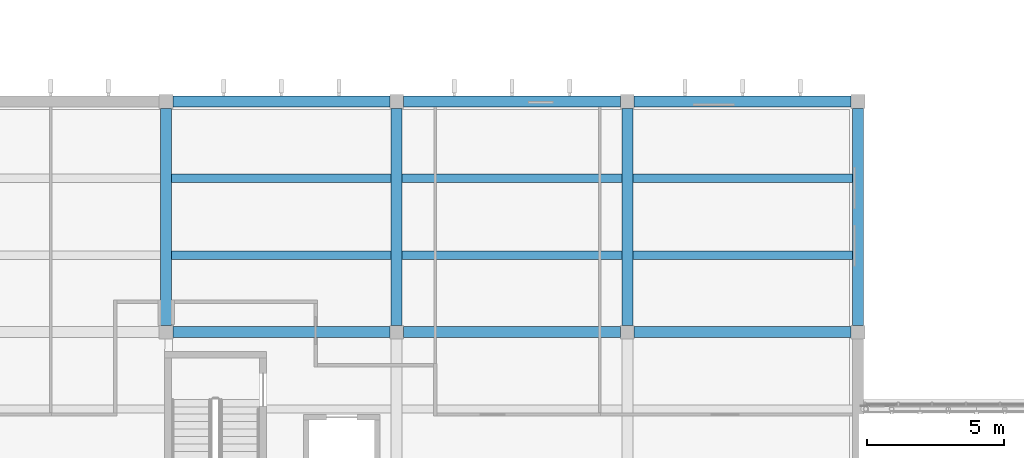
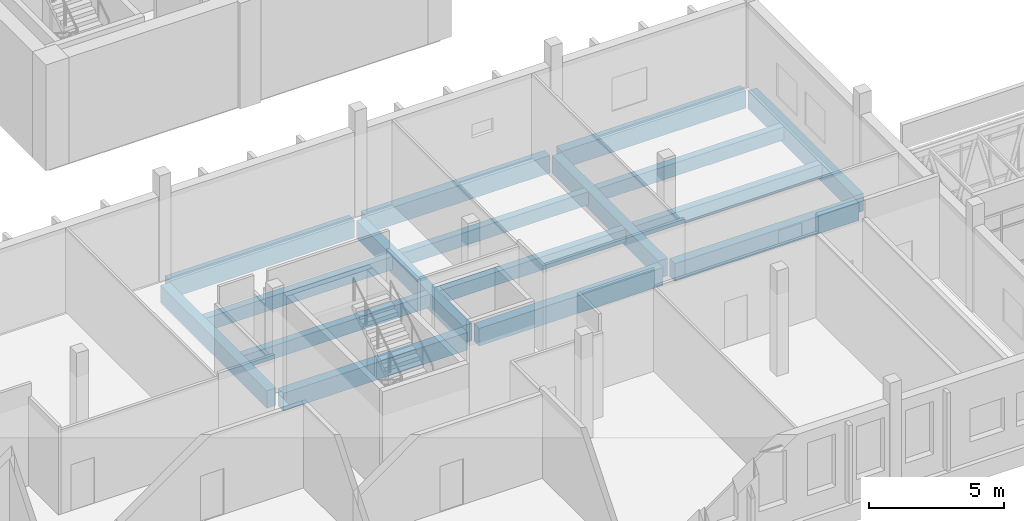
# One storey, part 4 of 119: 16 beams.
"""IFC4 building model written with IfcOpenShell, lengths in metres."""

from ifc_helpers import new_model, si_unit, direction, frame, origin, origin_2d, place, context, subcontext, project, spatial, rectangle, extrude, material, material_profile, profile_set, type_object, element, save


model = new_model("IFC4")

# Units and contexts
model_context = context("Model", 3, precision=1e-05, world=origin(), true_north=direction((0.0, 1.0)))
body_context = subcontext(model_context, "Body", "Model", "MODEL_VIEW")
ifc_project = project(units=[si_unit("LENGTHUNIT", "METRE"), si_unit("AREAUNIT", "SQUARE_METRE"), si_unit("VOLUMEUNIT", "CUBIC_METRE"), si_unit("PLANEANGLEUNIT", "RADIAN"), si_unit("MASSUNIT", "GRAM", prefix="KILO")], contexts=[model_context])

# Site, building, storey
site_placement = place(None, origin())
site = spatial("IfcSite", under=ifc_project, at=site_placement, CompositionType="ELEMENT")
building_placement = place(site_placement, origin())
building = spatial("IfcBuilding", under=site, at=building_placement, Name="Larchfold Concert Hall", CompositionType="ELEMENT")
storey_placement = place(building_placement, frame((0.0, 0.0, 4.800048828125)))
storey = spatial("IfcBuildingStorey", under=building, at=storey_placement, Name="L01", CompositionType="ELEMENT", Elevation=4.800048828125)

# Beams
ifc_material_1 = material(Name="Concrete C35/45", Category="concrete")
ifc_material_profile_1 = material_profile(ifc_material_1, rectangle(XDim=0.300048828125, YDim=0.60009765625, at=origin_2d()))
ifc_profile_set_1 = profile_set([ifc_material_profile_1], Name="Concrete C35/45")
beam_type_1 = type_object("IfcBeamType", Name="Beam RC 300x600", PredefinedType="BEAM", material=ifc_profile_set_1)
for number, where, z_axis, x_axis, name in (
    (1, (34.39990234375, 20.199951171875, -0.4599609375), (1.0, 0.0, 0.0), (0.0, 1.0, 0.0), "Beam B0183"),
    (2, (42.800048828125, 20.199951171875, -0.4599609375), (1.0, 0.0, 0.0), (0.0, 1.0, 0.0), "Beam B0184"),
    (3, (51.199951171875, 20.199951171875, -0.4599609375), (1.0, 0.0, 0.0), (0.0, 1.0, 0.0), "Beam B0185"),
    (4, (34.39990234375, 23.0, -0.4599609375), (1.0, 0.0, 0.0), (0.0, 1.0, 0.0), "Beam B0190"),
    (5, (42.800048828125, 23.0, -0.4599609375), (1.0, 0.0, 0.0), (0.0, 1.0, 0.0), "Beam B0191"),
    (6, (51.199951171875, 23.0, -0.4599609375), (1.0, 0.0, 0.0), (0.0, 1.0, 0.0), "Beam B0192"),
):
    element("IfcBeam", number, at=place(storey_placement, frame(where, z_axis=z_axis, x_axis=x_axis)), inside=storey, type_object=beam_type_1, Name=name, PredefinedType="BEAM", context=body_context, shape_type="SweptSolid", body=[
        extrude(rectangle(XDim=0.300048828125, YDim=0.60009765625, at=origin_2d()), origin(), (0.0, 0.0, 1.0), 8.0),
    ])
ifc_material_2 = material(Name="Concrete C35/45", Category="concrete")
ifc_material_profile_2 = material_profile(ifc_material_2, rectangle(XDim=0.39990234375, YDim=0.800048828125, at=origin_2d()))
ifc_profile_set_2 = profile_set([ifc_material_profile_2], Name="Concrete C35/45")
beam_type_2 = type_object("IfcBeamType", Name="Beam RC 400x800", PredefinedType="BEAM", material=ifc_profile_set_2)
for number, where, z_axis, x_axis, name in (
    (7, (34.199951171875, 17.64990234375, -0.56005859375), (0.0, 1.0, 0.0), (-1.0, 0.0, 0.0), "Beam B0110"),
    (8, (42.60009765625, 17.64990234375, -0.56005859375), (0.0, 1.0, 0.0), (-1.0, 0.0, 0.0), "Beam B0113"),
    (9, (51.0, 17.64990234375, -0.56005859375), (0.0, 1.0, 0.0), (-1.0, 0.0, 0.0), "Beam B0116"),
    (10, (59.39990234375, 17.64990234375, -0.56005859375), (0.0, 1.0, 0.0), (-1.0, 0.0, 0.0), "Beam B0119"),
    (11, (34.449951171875, 17.39990234375, -0.56005859375), (1.0, 0.0, 0.0), (0.0, 1.0, 0.0), "Beam B0137"),
):
    element("IfcBeam", number, at=place(storey_placement, frame(where, z_axis=z_axis, x_axis=x_axis)), inside=storey, type_object=beam_type_2, Name=name, PredefinedType="BEAM", context=body_context, shape_type="SweptSolid", body=[
        extrude(rectangle(XDim=0.39990234375, YDim=0.800048828125, at=origin_2d()), origin(), (0.0, 0.0, 1.0), 7.900146484375),
    ])
for number, where, z_axis, x_axis, name in (
    (12, (42.85009765625, 17.39990234375, -0.56005859375), (1.0, 0.0, 0.0), (0.0, 1.0, 0.0), "Beam B0138"),
    (13, (51.25, 17.39990234375, -0.56005859375), (1.0, 0.0, 0.0), (0.0, 1.0, 0.0), "Beam B0139"),
):
    element("IfcBeam", number, at=place(storey_placement, frame(where, z_axis=z_axis, x_axis=x_axis)), inside=storey, type_object=beam_type_2, Name=name, PredefinedType="BEAM", context=body_context, shape_type="SweptSolid", body=[
        extrude(rectangle(XDim=0.39990234375, YDim=0.800048828125, at=origin_2d()), origin(), (0.0, 0.0, 1.0), 7.89990234375),
    ])
beam_placement = place(storey_placement, frame((34.449951171875, 25.800048828125, -0.56005859375), z_axis=(1.0, 0.0, 0.0), x_axis=(0.0, 1.0, 0.0)))
element("IfcBeam", 14, at=beam_placement, inside=storey, type_object=beam_type_2, Name="Beam B0144", PredefinedType="BEAM", context=body_context, shape_type="SweptSolid", body=[
    extrude(rectangle(XDim=0.39990234375, YDim=0.800048828125, at=origin_2d()), origin(), (0.0, 0.0, 1.0), 7.900146484375),
])
for number, where, z_axis, x_axis, name in (
    (15, (42.85009765625, 25.800048828125, -0.56005859375), (1.0, 0.0, 0.0), (0.0, 1.0, 0.0), "Beam B0145"),
    (16, (51.25, 25.800048828125, -0.56005859375), (1.0, 0.0, 0.0), (0.0, 1.0, 0.0), "Beam B0146"),
):
    element("IfcBeam", number, at=place(storey_placement, frame(where, z_axis=z_axis, x_axis=x_axis)), inside=storey, type_object=beam_type_2, Name=name, PredefinedType="BEAM", context=body_context, shape_type="SweptSolid", body=[
        extrude(rectangle(XDim=0.39990234375, YDim=0.800048828125, at=origin_2d()), origin(), (0.0, 0.0, 1.0), 7.89990234375),
    ])

save(model, "model.ifc")
